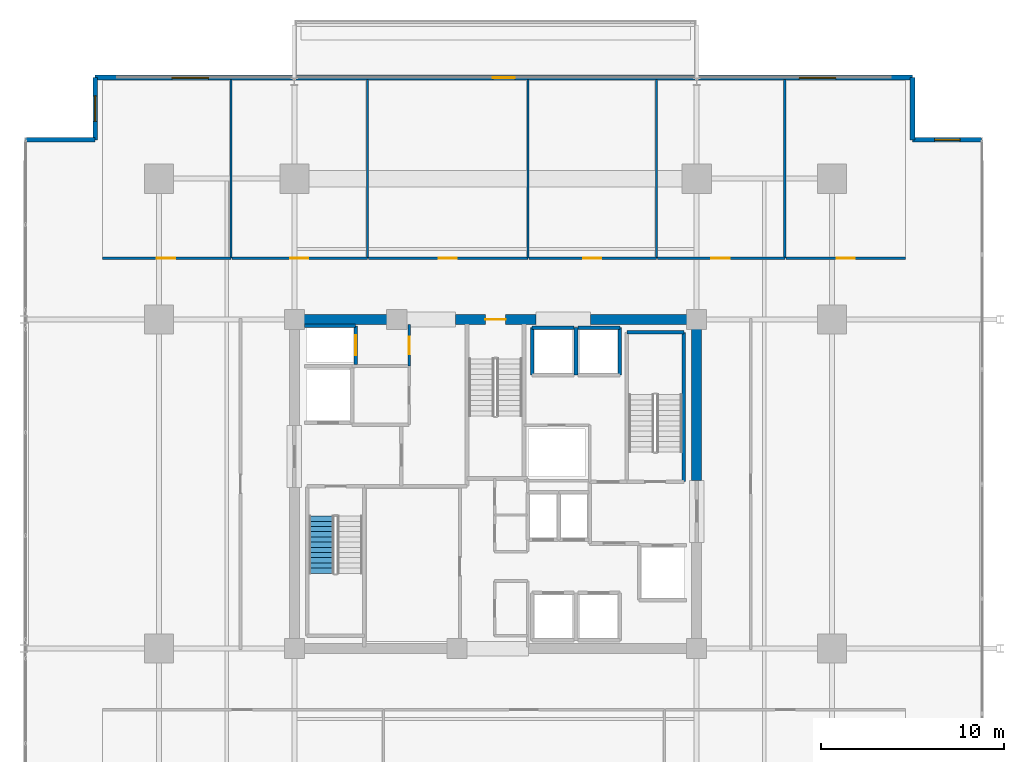
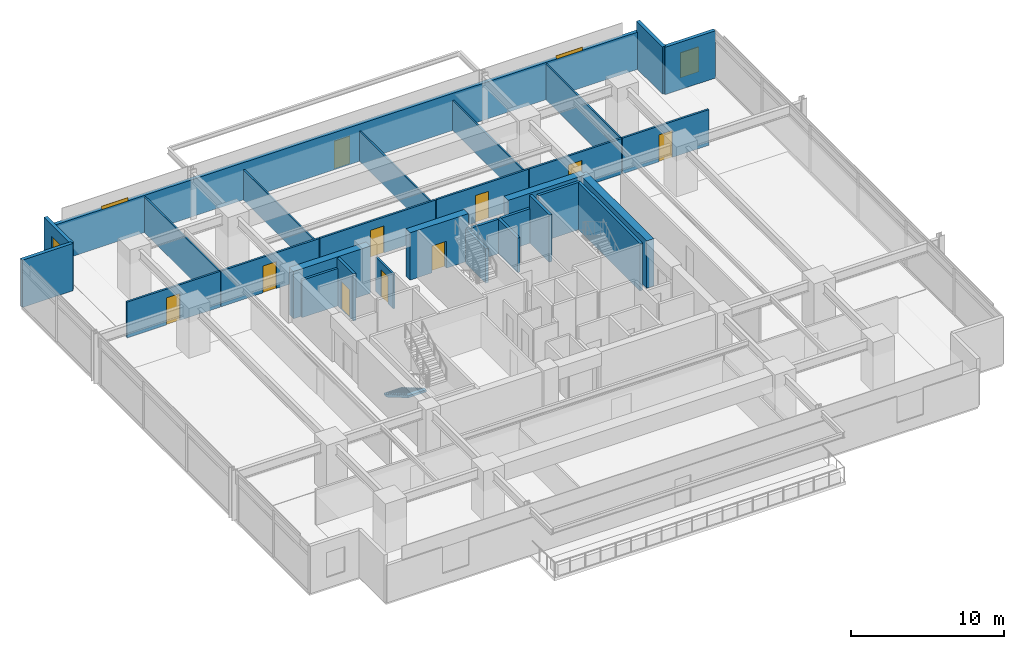
# One storey, part 16 of 21: 30 walls, 10 doors, 4 windows, 1 stair flight, 14 openings, 1 element without a shape of its own.
"""IFC4 building model written with IfcOpenShell, lengths in metres."""

from ifc_helpers import new_model, si_unit, direction, frame, frame_2d, origin, place, context, subcontext, project, spatial, polyline, rectangle, outline, extrude, material, layer, layer_set, type_object, element, fill, aggregate, save


model = new_model("IFC4")

# Units and contexts
model_context = context("Model", 3, precision=1e-05, world=origin(), true_north=direction((0.0, 1.0)))
body_context = subcontext(model_context, "Body", "Model", "MODEL_VIEW")
ifc_project = project(units=[si_unit("LENGTHUNIT", "METRE"), si_unit("AREAUNIT", "SQUARE_METRE"), si_unit("VOLUMEUNIT", "CUBIC_METRE"), si_unit("PLANEANGLEUNIT", "RADIAN"), si_unit("MASSUNIT", "GRAM", prefix="KILO")], contexts=[model_context])

# Site, building, storey
site_placement = place(None, origin())
site = spatial("IfcSite", under=ifc_project, at=site_placement, CompositionType="ELEMENT")
building_placement = place(site_placement, origin())
building = spatial("IfcBuilding", under=site, at=building_placement, Name="Kovane Verandah Tower", CompositionType="ELEMENT")
storey_placement = place(building_placement, frame((0.0, 0.0, 152.39990234375)))
storey = spatial("IfcBuildingStorey", under=building, at=storey_placement, Name="L35", CompositionType="ELEMENT", Elevation=152.39990234375)

# Wall, opening, door
ifc_material_1 = material(Name="Fire-Rated Gypsum Stud Partition", Category="gypsum")
ifc_layer_1 = layer(ifc_material_1, 0.14990234375)
ifc_layer_set_1 = layer_set([ifc_layer_1], Name="Fire-Rated Gypsum Stud Partition")
wall_type_1 = type_object("IfcWallType", Name="WL-COR-150", PredefinedType="PARTITIONING", material=ifc_layer_set_1)
wall_1_placement = place(storey_placement, frame((35.280029296875, 33.949951171875, 0.0), z_axis=(0.0, 0.0, 1.0), x_axis=(0.0, 1.0, 0.0)))
wall_1 = element("IfcWall", 1, at=wall_1_placement, inside=storey, type_object=wall_type_1, Name="L35 Goods Lift Lobby East Fire Partition", PredefinedType="PARTITIONING", context=body_context, shape_type="SweptSolid", body=[
    extrude(rectangle(XDim=2.27001953125, YDim=0.14990234375, at=frame_2d((1.135009765625, 0.0))), origin(), (0.0, 0.0, 1.0), 2.755126953125),
])
opening_1_placement = place(wall_1_placement, frame((0.659912109375, 0.0, 0.0)))
opening_1 = element("IfcOpeningElement", 2, at=opening_1_placement, cuts=wall_1, Name="Opening DR-L35-008", PredefinedType="OPENING", context=body_context, shape_type="SweptSolid", body=[
    extrude(rectangle(XDim=0.949951171875, YDim=2.14990234375, at=frame_2d((0.47509765625, 1.074951171875))), frame((0.0, 0.074951171875, 0.0), z_axis=(0.0, -1.0, 0.0), x_axis=(1.0, 0.0, 0.0)), (0.0, 0.0, 1.0), 0.14990234375),
])
ifc_material_2 = material(Name="Fire-Rated Steel Refuge and Lobby Door", Category="steel")
door_type_1 = type_object("IfcDoorType", Name="DR-FIRE-950", OperationType="SINGLE_SWING_LEFT", PredefinedType="DOOR", material=ifc_material_2)
door_1_placement = place(opening_1_placement, origin())
door_1 = element("IfcDoor", 3, at=door_1_placement, inside=storey, type_object=door_type_1, Name="L35 Goods Lift Lobby Fire Door", OperationType="SINGLE_SWING_RIGHT", OverallHeight=2.14990234375, OverallWidth=0.949951171875, PredefinedType="DOOR", context=body_context, shape_type="SweptSolid", body=[
    extrude(rectangle(XDim=0.949951171875, YDim=2.14990234375, at=frame_2d((0.47509765625, 1.074951171875))), frame((0.0, 0.02490234375, 0.0), z_axis=(0.0, -1.0, 0.0), x_axis=(1.0, 0.0, 0.0)), (0.0, 0.0, 1.0), 0.050048828125),
])
fill(opening_1, door_1)

wall_2_placement = place(storey_placement, frame((18.50390625, 39.85009765625, 0.0), z_axis=(0.0, 0.0, 1.0), x_axis=(1.0, 0.0, 0.0)))
wall_2 = element("IfcWall", 4, at=wall_2_placement, inside=storey, type_object=wall_type_1, Name="L35 Meeting Room N1 Corridor Partition", PredefinedType="PARTITIONING", context=body_context, shape_type="SweptSolid", body=[
    extrude(rectangle(XDim=7.0244140625, YDim=0.14990234375, at=frame_2d((3.51220703125, 0.0))), origin(), (0.0, 0.0, 1.0), 2.85009765625),
])
opening_2_placement = place(wall_2_placement, frame((2.97705078125, 0.0, 0.0)))
opening_2 = element("IfcOpeningElement", 5, at=opening_2_placement, cuts=wall_2, Name="Opening DR-L35-015", PredefinedType="OPENING", context=body_context, shape_type="SweptSolid", body=[
    extrude(rectangle(XDim=1.0, YDim=2.14990234375, at=frame_2d((0.5, 1.074951171875))), frame((0.0, 0.074951171875, 0.0), z_axis=(0.0, -1.0, 0.0), x_axis=(1.0, 0.0, 0.0)), (0.0, 0.0, 1.0), 0.14990234375),
])
ifc_material_3 = material(Name="FSC Spotted-Gum Timber Fire-Rated Office Door", Category="wood")
door_type_2 = type_object("IfcDoorType", Name="DR-OFF-1000", OperationType="SINGLE_SWING_LEFT", PredefinedType="DOOR", material=ifc_material_3)
door_2_placement = place(opening_2_placement, origin())
door_2 = element("IfcDoor", 6, at=door_2_placement, inside=storey, type_object=door_type_2, Name="L35 Meeting Room N1 Entrance Door", OperationType="SINGLE_SWING_RIGHT", OverallHeight=2.14990234375, OverallWidth=1.0, PredefinedType="DOOR", context=body_context, shape_type="SweptSolid", body=[
    extrude(rectangle(XDim=1.0, YDim=2.14990234375, at=frame_2d((0.5, 1.074951171875))), frame((0.0, 0.02490234375, 0.0), z_axis=(0.0, -1.0, 0.0), x_axis=(1.0, 0.0, 0.0)), (0.0, 0.0, 1.0), 0.050048828125),
])
fill(opening_2, door_2)

wall_3_placement = place(storey_placement, frame((25.598388671875, 39.85009765625, 0.0), z_axis=(0.0, 0.0, 1.0), x_axis=(1.0, 0.0, 0.0)))
wall_3 = element("IfcWall", 7, at=wall_3_placement, inside=storey, type_object=wall_type_1, Name="L35 Focus Studio N2 Corridor Partition", PredefinedType="PARTITIONING", context=body_context, shape_type="SweptSolid", body=[
    extrude(rectangle(XDim=7.393310546875, YDim=0.14990234375, at=frame_2d((3.69677734375, 0.0))), origin(), (0.0, 0.0, 1.0), 2.85009765625),
])
opening_3_placement = place(wall_3_placement, frame((3.16162109375, 0.0, 0.0)))
opening_3 = element("IfcOpeningElement", 8, at=opening_3_placement, cuts=wall_3, Name="Opening DR-L35-016", PredefinedType="OPENING", context=body_context, shape_type="SweptSolid", body=[
    extrude(rectangle(XDim=1.0, YDim=2.14990234375, at=frame_2d((0.5, 1.074951171875))), frame((0.0, 0.074951171875, 0.0), z_axis=(0.0, -1.0, 0.0), x_axis=(1.0, 0.0, 0.0)), (0.0, 0.0, 1.0), 0.14990234375),
])
door_3_placement = place(opening_3_placement, origin())
door_3 = element("IfcDoor", 9, at=door_3_placement, inside=storey, type_object=door_type_2, Name="L35 Focus Studio N2 Entrance Door", OperationType="SINGLE_SWING_LEFT", OverallHeight=2.14990234375, OverallWidth=1.0, PredefinedType="DOOR", context=body_context, shape_type="SweptSolid", body=[
    extrude(rectangle(XDim=1.0, YDim=2.14990234375, at=frame_2d((0.5, 1.074951171875))), frame((0.0, 0.02490234375, 0.0), z_axis=(0.0, -1.0, 0.0), x_axis=(1.0, 0.0, 0.0)), (0.0, 0.0, 1.0), 0.050048828125),
])
fill(opening_3, door_3)

wall_4_placement = place(storey_placement, frame((33.061767578125, 39.85009765625, 0.0), z_axis=(0.0, 0.0, 1.0), x_axis=(1.0, 0.0, 0.0)))
wall_4 = element("IfcWall", 10, at=wall_4_placement, inside=storey, type_object=wall_type_1, Name="L35 Breakout Pantry N3 Corridor Partition", PredefinedType="PARTITIONING", context=body_context, shape_type="SweptSolid", body=[
    extrude(rectangle(XDim=8.71044921875, YDim=0.14990234375, at=frame_2d((4.355224609375, 0.0))), origin(), (0.0, 0.0, 1.0), 2.85009765625),
])
opening_4_placement = place(wall_4_placement, frame((3.8203125, 0.0, 0.0)))
opening_4 = element("IfcOpeningElement", 11, at=opening_4_placement, cuts=wall_4, Name="Opening DR-L35-017", PredefinedType="OPENING", context=body_context, shape_type="SweptSolid", body=[
    extrude(rectangle(XDim=1.0, YDim=2.14990234375, at=frame_2d((0.5, 1.074951171875))), frame((0.0, 0.074951171875, 0.0), z_axis=(0.0, -1.0, 0.0), x_axis=(1.0, 0.0, 0.0)), (0.0, 0.0, 1.0), 0.14990234375),
])
door_4_placement = place(opening_4_placement, origin())
door_4 = element("IfcDoor", 12, at=door_4_placement, inside=storey, type_object=door_type_2, Name="L35 Breakout Pantry N3 Entrance Door", OperationType="SINGLE_SWING_RIGHT", OverallHeight=2.14990234375, OverallWidth=1.0, PredefinedType="DOOR", context=body_context, shape_type="SweptSolid", body=[
    extrude(rectangle(XDim=1.0, YDim=2.14990234375, at=frame_2d((0.5, 1.074951171875))), frame((0.0, 0.02490234375, 0.0), z_axis=(0.0, -1.0, 0.0), x_axis=(1.0, 0.0, 0.0)), (0.0, 0.0, 1.0), 0.050048828125),
])
fill(opening_4, door_4)

wall_5_placement = place(storey_placement, frame((41.842041015625, 39.85009765625, 0.0), z_axis=(0.0, 0.0, 1.0), x_axis=(1.0, 0.0, 0.0)))
wall_5 = element("IfcWall", 13, at=wall_5_placement, inside=storey, type_object=wall_type_1, Name="L35 Collaboration Hub N4 Corridor Partition", PredefinedType="PARTITIONING", context=body_context, shape_type="SweptSolid", body=[
    extrude(rectangle(XDim=6.954345703125, YDim=0.14990234375, at=frame_2d((3.47705078125, 0.0))), origin(), (0.0, 0.0, 1.0), 2.85009765625),
])
opening_5_placement = place(wall_5_placement, frame((2.942138671875, 0.0, 0.0)))
opening_5 = element("IfcOpeningElement", 14, at=opening_5_placement, cuts=wall_5, Name="Opening DR-L35-018", PredefinedType="OPENING", context=body_context, shape_type="SweptSolid", body=[
    extrude(rectangle(XDim=1.0, YDim=2.14990234375, at=frame_2d((0.5, 1.074951171875))), frame((0.0, 0.074951171875, 0.0), z_axis=(0.0, -1.0, 0.0), x_axis=(1.0, 0.0, 0.0)), (0.0, 0.0, 1.0), 0.14990234375),
])
door_5_placement = place(opening_5_placement, origin())
door_5 = element("IfcDoor", 15, at=door_5_placement, inside=storey, type_object=door_type_2, Name="L35 Collaboration Hub N4 Entrance Door", OperationType="SINGLE_SWING_LEFT", OverallHeight=2.14990234375, OverallWidth=1.0, PredefinedType="DOOR", context=body_context, shape_type="SweptSolid", body=[
    extrude(rectangle(XDim=1.0, YDim=2.14990234375, at=frame_2d((0.5, 1.074951171875))), frame((0.0, 0.02490234375, 0.0), z_axis=(0.0, -1.0, 0.0), x_axis=(1.0, 0.0, 0.0)), (0.0, 0.0, 1.0), 0.050048828125),
])
fill(opening_5, door_5)

wall_6_placement = place(storey_placement, frame((48.866455078125, 39.85009765625, 0.0), z_axis=(0.0, 0.0, 1.0), x_axis=(1.0, 0.0, 0.0)))
wall_6 = element("IfcWall", 16, at=wall_6_placement, inside=storey, type_object=wall_type_1, Name="L35 Document and Print Room N5 Corridor Partition", PredefinedType="PARTITIONING", context=body_context, shape_type="SweptSolid", body=[
    extrude(rectangle(XDim=6.954345703125, YDim=0.14990234375, at=frame_2d((3.47705078125, 0.0))), origin(), (0.0, 0.0, 1.0), 2.85009765625),
])
opening_6_placement = place(wall_6_placement, frame((2.942138671875, 0.0, 0.0)))
opening_6 = element("IfcOpeningElement", 17, at=opening_6_placement, cuts=wall_6, Name="Opening DR-L35-019", PredefinedType="OPENING", context=body_context, shape_type="SweptSolid", body=[
    extrude(rectangle(XDim=1.0, YDim=2.14990234375, at=frame_2d((0.5, 1.074951171875))), frame((0.0, 0.074951171875, 0.0), z_axis=(0.0, -1.0, 0.0), x_axis=(1.0, 0.0, 0.0)), (0.0, 0.0, 1.0), 0.14990234375),
])
door_6_placement = place(opening_6_placement, origin())
door_6 = element("IfcDoor", 18, at=door_6_placement, inside=storey, type_object=door_type_2, Name="L35 Document and Print Room N5 Entrance Door", OperationType="SINGLE_SWING_RIGHT", OverallHeight=2.14990234375, OverallWidth=1.0, PredefinedType="DOOR", context=body_context, shape_type="SweptSolid", body=[
    extrude(rectangle(XDim=1.0, YDim=2.14990234375, at=frame_2d((0.5, 1.074951171875))), frame((0.0, 0.02490234375, 0.0), z_axis=(0.0, -1.0, 0.0), x_axis=(1.0, 0.0, 0.0)), (0.0, 0.0, 1.0), 0.050048828125),
])
fill(opening_6, door_6)

wall_7_placement = place(storey_placement, frame((55.890625, 39.85009765625, 0.0), z_axis=(0.0, 0.0, 1.0), x_axis=(1.0, 0.0, 0.0)))
wall_7 = element("IfcWall", 19, at=wall_7_placement, inside=storey, type_object=wall_type_1, Name="L35 Open Plan Office N6 Corridor Partition", PredefinedType="PARTITIONING", context=body_context, shape_type="SweptSolid", body=[
    extrude(rectangle(XDim=6.515380859375, YDim=0.14990234375, at=frame_2d((3.2578125, 0.0))), origin(), (0.0, 0.0, 1.0), 2.85009765625),
])
opening_7_placement = place(wall_7_placement, frame((2.757568359375, 0.0, 0.0)))
opening_7 = element("IfcOpeningElement", 20, at=opening_7_placement, cuts=wall_7, Name="Opening DR-L35-020", PredefinedType="OPENING", context=body_context, shape_type="SweptSolid", body=[
    extrude(rectangle(XDim=1.0, YDim=2.14990234375, at=frame_2d((0.5, 1.074951171875))), frame((0.0, 0.074951171875, 0.0), z_axis=(0.0, -1.0, 0.0), x_axis=(1.0, 0.0, 0.0)), (0.0, 0.0, 1.0), 0.14990234375),
])
door_7_placement = place(opening_7_placement, origin())
door_7 = element("IfcDoor", 21, at=door_7_placement, inside=storey, type_object=door_type_2, Name="L35 Open Plan Office N6 Entrance Door", OperationType="SINGLE_SWING_LEFT", OverallHeight=2.14990234375, OverallWidth=1.0, PredefinedType="DOOR", context=body_context, shape_type="SweptSolid", body=[
    extrude(rectangle(XDim=1.0, YDim=2.14990234375, at=frame_2d((0.5, 1.074951171875))), frame((0.0, 0.02490234375, 0.0), z_axis=(0.0, -1.0, 0.0), x_axis=(1.0, 0.0, 0.0)), (0.0, 0.0, 1.0), 0.050048828125),
])
fill(opening_7, door_7)

# Wall
ifc_material_4 = material(Name="Concrete C60/75", Category="concrete")
ifc_layer_2 = layer(ifc_material_4, 0.550048828125)
ifc_layer_set_2 = layer_set([ifc_layer_2], Name="Concrete C60/75")
wall_type_2 = type_object("IfcWallType", Name="WL-CORE-550", PredefinedType="SHEAR", material=ifc_layer_set_2)
wall_8_placement = place(storey_placement, frame((29.0, 36.5, 0.0), z_axis=(0.0, 0.0, 1.0), x_axis=(1.0, 0.0, 0.0)))
element("IfcWall", 22, at=wall_8_placement, inside=storey, type_object=wall_type_2, Name="L35 Core Shear Wall CN-1", PredefinedType="SHEAR", context=body_context, shape_type="SweptSolid", body=[
    extrude(rectangle(XDim=5.800048828125, YDim=0.550048828125, at=frame_2d((2.89990234375, 0.0))), origin(), (0.0, 0.0, 1.0), 3.775146484375),
])

# Wall, opening, door
wall_9_placement = place(storey_placement, frame((37.800048828125, 36.5, 0.0), z_axis=(0.0, 0.0, 1.0), x_axis=(1.0, 0.0, 0.0)))
wall_9 = element("IfcWall", 23, at=wall_9_placement, inside=storey, type_object=wall_type_2, Name="L35 Core Shear Wall CN-2", PredefinedType="SHEAR", context=body_context, shape_type="SweptSolid", body=[
    extrude(rectangle(XDim=4.39990234375, YDim=0.550048828125, at=frame_2d((2.199951171875, 0.0))), origin(), (0.0, 0.0, 1.0), 3.775146484375),
])
opening_8_placement = place(wall_9_placement, frame((1.64990234375, 0.0, 0.0)))
opening_8 = element("IfcOpeningElement", 24, at=opening_8_placement, cuts=wall_9, Name="Opening DR-L35-011", PredefinedType="OPENING", context=body_context, shape_type="SweptSolid", body=[
    extrude(rectangle(XDim=1.10009765625, YDim=2.14990234375, at=frame_2d((0.550048828125, 1.074951171875))), frame((0.0, 0.27490234375, 0.0), z_axis=(0.0, -1.0, 0.0), x_axis=(1.0, 0.0, 0.0)), (0.0, 0.0, 1.0), 0.550048828125),
])
ifc_material_5 = material(Name="Fire-Rated Steel Exit Door", Category="steel")
door_type_3 = type_object("IfcDoorType", Name="DR-STAIR-1100", OperationType="SINGLE_SWING_LEFT", PredefinedType="DOOR", material=ifc_material_5)
door_8_placement = place(opening_8_placement, origin())
door_8 = element("IfcDoor", 25, at=door_8_placement, inside=storey, type_object=door_type_3, Name="L35 ST-03 Fire Exit Stair Door", OperationType="SINGLE_SWING_RIGHT", OverallHeight=2.14990234375, OverallWidth=1.10009765625, PredefinedType="DOOR", context=body_context, shape_type="SweptSolid", body=[
    extrude(rectangle(XDim=1.10009765625, YDim=2.14990234375, at=frame_2d((0.550048828125, 1.074951171875))), frame((0.0, 0.02490234375, 0.0), z_axis=(0.0, -1.0, 0.0), x_axis=(1.0, 0.0, 0.0)), (0.0, 0.0, 1.0), 0.050048828125),
])
fill(opening_8, door_8)

# Walls
wall_10_placement = place(storey_placement, frame((45.199951171875, 36.5, 0.0), z_axis=(0.0, 0.0, 1.0), x_axis=(1.0, 0.0, 0.0)))
element("IfcWall", 26, at=wall_10_placement, inside=storey, type_object=wall_type_2, Name="L35 Core Shear Wall CN-3", PredefinedType="SHEAR", context=body_context, shape_type="SweptSolid", body=[
    extrude(rectangle(XDim=5.800048828125, YDim=0.550048828125, at=frame_2d((2.89990234375, 0.0))), origin(), (0.0, 0.0, 1.0), 3.775146484375),
])
wall_11_placement = place(storey_placement, frame((51.0, 27.699951171875, 0.0), z_axis=(0.0, 0.0, 1.0), x_axis=(0.0, 1.0, 0.0)))
element("IfcWall", 27, at=wall_11_placement, inside=storey, type_object=wall_type_2, Name="L35 Core Shear Wall CE-2", PredefinedType="SHEAR", context=body_context, shape_type="SweptSolid", body=[
    extrude(rectangle(XDim=8.800048828125, YDim=0.550048828125, at=frame_2d((4.39990234375, 0.0))), origin(), (0.0, 0.0, 1.0), 3.775146484375),
])
ifc_material_6 = material(Name="Concrete C45/55 Lift Shaft Wall", Category="concrete")
ifc_layer_3 = layer(ifc_material_6, 0.199951171875)
ifc_layer_set_3 = layer_set([ifc_layer_3], Name="Concrete C45/55 Lift Shaft Wall")
wall_type_3 = type_object("IfcWallType", Name="WL-LIFT-200", PredefinedType="SOLIDWALL", material=ifc_layer_set_3)
wall_12_placement = place(storey_placement, frame((32.35009765625, 36.14990234375, 0.0), z_axis=(0.0, 0.0, 1.0), x_axis=(-1.0, 0.0, 0.0)))
element("IfcWall", 28, at=wall_12_placement, inside=storey, type_object=wall_type_3, Name="L35 Lift GL-01 N Shaft Wall", PredefinedType="SOLIDWALL", context=body_context, shape_type="SweptSolid", body=[
    extrude(rectangle(XDim=2.800048828125, YDim=0.199951171875, at=frame_2d((1.39990234375, 0.0))), origin(), (0.0, 0.0, 1.0), 2.9853515625),
])

# Wall, opening, door
wall_13_placement = place(storey_placement, frame((32.35009765625, 34.050048828125, 0.0), z_axis=(0.0, 0.0, 1.0), x_axis=(0.0, 1.0, 0.0)))
wall_13 = element("IfcWall", 29, at=wall_13_placement, inside=storey, type_object=wall_type_3, Name="L35 Lift GL-01 E Shaft Wall", PredefinedType="SOLIDWALL", context=body_context, shape_type="SweptSolid", body=[
    extrude(rectangle(XDim=2.099853515625, YDim=0.199951171875, at=frame_2d((1.0498046875, 0.0))), origin(), (0.0, 0.0, 1.0), 3.775146484375),
])
opening_9_placement = place(wall_13_placement, frame((0.5, 0.0, 0.0)))
opening_9 = element("IfcOpeningElement", 30, at=opening_9_placement, cuts=wall_13, Name="Opening LD-L35-003", PredefinedType="OPENING", context=body_context, shape_type="SweptSolid", body=[
    extrude(rectangle(XDim=1.10009765625, YDim=2.199951171875, at=frame_2d((0.550048828125, 1.10009765625))), frame((0.0, 0.10009765625, 0.0), z_axis=(0.0, -1.0, 0.0), x_axis=(1.0, 0.0, 0.0)), (0.0, 0.0, 1.0), 0.199951171875),
])
ifc_material_7 = material(Name="Brushed Stainless Steel Sliding Lift Landing Door", Category="steel")
door_type_4 = type_object("IfcDoorType", Name="DR-LIFT-1100", OperationType="SLIDING_TO_RIGHT", PredefinedType="DOOR", material=ifc_material_7)
door_9_placement = place(opening_9_placement, origin())
door_9 = element("IfcDoor", 31, at=door_9_placement, inside=storey, type_object=door_type_4, Name="L35 Lift GL-01 Sliding Landing Door", OperationType="SLIDING_TO_RIGHT", OverallHeight=2.199951171875, OverallWidth=1.10009765625, PredefinedType="DOOR", context=body_context, shape_type="SweptSolid", body=[
    extrude(rectangle(XDim=1.10009765625, YDim=2.199951171875, at=frame_2d((0.550048828125, 1.10009765625))), frame((0.0, 0.02490234375, 0.0), z_axis=(0.0, -1.0, 0.0), x_axis=(1.0, 0.0, 0.0)), (0.0, 0.0, 1.0), 0.050048828125),
])
fill(opening_9, door_9)

# Walls
wall_14_placement = place(storey_placement, frame((44.300048828125, 36.050048828125, 0.0), z_axis=(0.0, 0.0, 1.0), x_axis=(-1.0, 0.0, 0.0)))
element("IfcWall", 32, at=wall_14_placement, inside=storey, type_object=wall_type_3, Name="L35 Lift SL-01 N Shaft Wall", PredefinedType="SOLIDWALL", context=body_context, shape_type="SweptSolid", body=[
    extrude(rectangle(XDim=2.300048828125, YDim=0.199951171875, at=frame_2d((1.14990234375, 0.0))), origin(), (0.0, 0.0, 1.0), 2.755126953125),
])
for number, where, z_axis, x_axis, name in (
    (33, (42.0, 36.050048828125, 0.0), (0.0, 0.0, 1.0), (0.0, -1.0, 0.0), "L35 Lift SL-01 W Shaft Wall"),
    (34, (44.39990234375, 33.449951171875, 0.0), (0.0, 0.0, 1.0), (0.0, 1.0, 0.0), "L35 Lift OL-01 and SL-01 Shared Shaft Wall"),
):
    element("IfcWall", number, at=place(storey_placement, frame(where, z_axis=z_axis, x_axis=x_axis)), inside=storey, type_object=wall_type_3, Name=name, PredefinedType="SOLIDWALL", context=body_context, shape_type="SweptSolid", body=[
        extrude(rectangle(XDim=2.60009765625, YDim=0.199951171875, at=frame_2d((1.300048828125, 0.0))), origin(), (0.0, 0.0, 1.0), 2.755126953125),
    ])
wall_15_placement = place(storey_placement, frame((46.800048828125, 36.050048828125, 0.0), z_axis=(0.0, 0.0, 1.0), x_axis=(-1.0, 0.0, 0.0)))
element("IfcWall", 35, at=wall_15_placement, inside=storey, type_object=wall_type_3, Name="L35 Lift OL-01 N Shaft Wall", PredefinedType="SOLIDWALL", context=body_context, shape_type="SweptSolid", body=[
    extrude(rectangle(XDim=2.300048828125, YDim=0.199951171875, at=frame_2d((1.14990234375, 0.0))), origin(), (0.0, 0.0, 1.0), 2.755126953125),
])
wall_16_placement = place(storey_placement, frame((46.800048828125, 33.449951171875, 0.0), z_axis=(0.0, 0.0, 1.0), x_axis=(0.0, 1.0, 0.0)))
element("IfcWall", 36, at=wall_16_placement, inside=storey, type_object=wall_type_3, Name="L35 Lift OL-01 E Shaft Wall", PredefinedType="SOLIDWALL", context=body_context, shape_type="SweptSolid", body=[
    extrude(rectangle(XDim=2.60009765625, YDim=0.199951171875, at=frame_2d((1.300048828125, 0.0))), origin(), (0.0, 0.0, 1.0), 3.775146484375),
])
ifc_material_8 = material(Name="Acoustic Fire-Rated Gypsum Partition", Category="gypsum")
ifc_layer_4 = layer(ifc_material_8, 0.1201171875)
ifc_layer_set_4 = layer_set([ifc_layer_4], Name="Acoustic Fire-Rated Gypsum Partition")
wall_type_4 = type_object("IfcWallType", Name="WL-PART-120", PredefinedType="PARTITIONING", material=ifc_layer_set_4)
wall_17_placement = place(storey_placement, frame((25.5283203125, 39.85009765625, 0.0), z_axis=(0.0, 0.0, 1.0), x_axis=(0.0, 1.0, 0.0)))
element("IfcWall", 37, at=wall_17_placement, inside=storey, type_object=wall_type_4, Name="L35 Meeting Room N1 Dividing Partition", PredefinedType="PARTITIONING", context=body_context, shape_type="SweptSolid", body=[
    extrude(rectangle(XDim=9.777099609375, YDim=0.1201171875, at=frame_2d((4.888671875, 0.0))), origin(), (0.0, 0.0, 1.0), 2.85009765625),
])
for number, where, z_axis, x_axis, name in (
    (38, (32.99169921875, 39.85009765625, 0.0), (0.0, 0.0, 1.0), (0.0, 1.0, 0.0), "L35 Focus Studio N2 Dividing Partition"),
    (39, (41.772216796875, 39.85009765625, 0.0), (0.0, 0.0, 1.0), (0.0, 1.0, 0.0), "L35 Breakout Pantry N3 Dividing Partition"),
    (40, (48.79638671875, 39.85009765625, 0.0), (0.0, 0.0, 1.0), (0.0, 1.0, 0.0), "L35 Collaboration Hub N4 Dividing Partition"),
):
    element("IfcWall", number, at=place(storey_placement, frame(where, z_axis=z_axis, x_axis=x_axis)), inside=storey, type_object=wall_type_4, Name=name, PredefinedType="PARTITIONING", context=body_context, shape_type="SweptSolid", body=[
        extrude(rectangle(XDim=9.777099609375, YDim=0.1201171875, at=frame_2d((4.888671875, 0.0))), origin(), (0.0, 0.0, 1.0), 2.405029296875),
    ])
wall_18_placement = place(storey_placement, frame((55.82080078125, 39.85009765625, 0.0), z_axis=(0.0, 0.0, 1.0), x_axis=(0.0, 1.0, 0.0)))
element("IfcWall", 41, at=wall_18_placement, inside=storey, type_object=wall_type_4, Name="L35 Document and Print Room N5 Dividing Partition", PredefinedType="PARTITIONING", context=body_context, shape_type="SweptSolid", body=[
    extrude(rectangle(XDim=9.777099609375, YDim=0.1201171875, at=frame_2d((4.888671875, 0.0))), origin(), (0.0, 0.0, 1.0), 2.85009765625),
])
ifc_material_9 = material(Name="Concrete C45/55", Category="concrete")
ifc_layer_5 = layer(ifc_material_9, 0.199951171875)
ifc_layer_set_5 = layer_set([ifc_layer_5], Name="Concrete C45/55")
wall_type_5 = type_object("IfcWallType", Name="WL-SHAFT-200", PredefinedType="SOLIDWALL", material=ifc_layer_set_5)
wall_19_placement = place(storey_placement, frame((50.300048828125, 27.64990234375, 0.0), z_axis=(0.0, 0.0, 1.0), x_axis=(0.0, 1.0, 0.0)))
element("IfcWall", 42, at=wall_19_placement, inside=storey, type_object=wall_type_5, Name="W-L35-ST02-E", PredefinedType="SOLIDWALL", context=body_context, shape_type="SweptSolid", body=[
    extrude(rectangle(XDim=8.150146484375, YDim=0.199951171875, at=frame_2d((4.0751953125, 0.0))), origin(), (0.0, 0.0, 1.0), 3.775146484375),
])
wall_20_placement = place(storey_placement, frame((47.179931640625, 35.800048828125, 0.0), z_axis=(0.0, 0.0, 1.0), x_axis=(1.0, 0.0, 0.0)))
element("IfcWall", 43, at=wall_20_placement, inside=storey, type_object=wall_type_5, Name="W-L35-ST02-N", PredefinedType="SOLIDWALL", context=body_context, shape_type="SweptSolid", body=[
    extrude(rectangle(XDim=3.1201171875, YDim=0.199951171875, at=frame_2d((1.56005859375, 0.0))), origin(), (0.0, 0.0, 1.0), 3.775146484375),
])

# Wall, openings, door, windows
ifc_material_10 = material(Name="Concrete C45/55 Insulated Spandrel Wall", Category="concrete")
ifc_layer_6 = layer(ifc_material_10, 0.260009765625)
ifc_layer_set_6 = layer_set([ifc_layer_6], Name="Concrete C45/55 Insulated Spandrel Wall")
wall_type_6 = type_object("IfcWallType", Name="WL-SPANDREL-260", PredefinedType="PARAPET", material=ifc_layer_set_6)
wall_21_placement = place(storey_placement, frame((62.805908203125, 49.727294921875, 0.0), z_axis=(0.0, 0.0, 1.0), x_axis=(-1.0, 0.0, 0.0)))
wall_21 = element("IfcWall", 44, at=wall_21_placement, inside=storey, type_object=wall_type_6, Name="L35 N Verandah Access Facade Wall", PredefinedType="PARAPET", context=body_context, shape_type="SweptSolid", body=[
    extrude(rectangle(XDim=44.701904296875, YDim=0.260009765625, at=frame_2d((22.35107421875, 0.0))), origin(), (0.0, 0.0, 1.0), 2.97021484375),
])
opening_10_placement = place(wall_21_placement, frame((4.199951171875, 0.0, 0.85009765625)))
opening_10 = element("IfcOpeningElement", 45, at=opening_10_placement, cuts=wall_21, Name="Opening W-04", PredefinedType="OPENING", context=body_context, shape_type="SweptSolid", body=[
    extrude(rectangle(XDim=2.0, YDim=2.300048828125, at=frame_2d((1.0, 1.14990234375))), frame((0.0, 0.1298828125, 0.0), z_axis=(0.0, -1.0, 0.0), x_axis=(1.0, 0.0, 0.0)), (0.0, 0.0, 1.0), 0.260009765625),
])
opening_11_placement = place(wall_21_placement, frame((21.7509765625, 0.0, 0.0)))
opening_11 = element("IfcOpeningElement", 46, at=opening_11_placement, cuts=wall_21, Name="Opening DR-L35-001", PredefinedType="OPENING", context=body_context, shape_type="SweptSolid", body=[
    extrude(rectangle(XDim=1.199951171875, YDim=2.199951171875, at=frame_2d((0.60009765625, 1.10009765625))), frame((0.0, 0.1298828125, 0.0), z_axis=(0.0, -1.0, 0.0), x_axis=(1.0, 0.0, 0.0)), (0.0, 0.0, 1.0), 0.260009765625),
])
opening_12_placement = place(wall_21_placement, frame((38.501953125, 0.0, 0.85009765625)))
opening_12 = element("IfcOpeningElement", 47, at=opening_12_placement, cuts=wall_21, Name="Opening W-04", PredefinedType="OPENING", context=body_context, shape_type="SweptSolid", body=[
    extrude(rectangle(XDim=2.0, YDim=2.300048828125, at=frame_2d((1.0, 1.14990234375))), frame((0.0, 0.1298828125, 0.0), z_axis=(0.0, -1.0, 0.0), x_axis=(1.0, 0.0, 0.0)), (0.0, 0.0, 1.0), 0.260009765625),
])
ifc_material_11 = material(Name="Cyclone-Rated Glazed Balcony Leaf Door", Category="aluminium")
door_type_5 = type_object("IfcDoorType", Name="DR-BAL-1200x2200", OperationType="SINGLE_SWING_LEFT", PredefinedType="DOOR", material=ifc_material_11)
door_10_placement = place(opening_11_placement, origin())
door_10 = element("IfcDoor", 48, at=door_10_placement, inside=storey, type_object=door_type_5, Name="L35 N Planted Balcony Access Door", OperationType="SINGLE_SWING_LEFT", OverallHeight=2.199951171875, OverallWidth=1.199951171875, PredefinedType="DOOR", context=body_context, shape_type="SweptSolid", body=[
    extrude(rectangle(XDim=1.199951171875, YDim=2.199951171875, at=frame_2d((0.60009765625, 1.10009765625))), frame((0.0, 0.02490234375, 0.0), z_axis=(0.0, -1.0, 0.0), x_axis=(1.0, 0.0, 0.0)), (0.0, 0.0, 1.0), 0.050048828125),
])
fill(opening_11, door_10)
ifc_material_12 = material(Name="Clear Low-E Laminated Double Glazing in Anodised Frame", Category="glass")
window_type_1 = type_object("IfcWindowType", Name="WN-FIXED-2000x2300", PartitioningType="SINGLE_PANEL", PredefinedType="WINDOW", material=ifc_material_12)
window_1_placement = place(opening_10_placement, origin())
window_1 = element("IfcWindow", 49, at=window_1_placement, inside=storey, type_object=window_type_1, Name="L35 N Verandah View Window 1", OverallHeight=2.300048828125, OverallWidth=2.0, PartitioningType="SINGLE_PANEL", PredefinedType="WINDOW", context=body_context, shape_type="SweptSolid", body=[
    extrude(rectangle(XDim=2.0, YDim=2.300048828125, at=frame_2d((1.0, 1.14990234375))), frame((0.0, 0.030029296875, 0.0), z_axis=(0.0, -1.0, 0.0), x_axis=(1.0, 0.0, 0.0)), (0.0, 0.0, 1.0), 0.06005859375),
])
fill(opening_10, window_1)
window_2_placement = place(opening_12_placement, origin())
window_2 = element("IfcWindow", 50, at=window_2_placement, inside=storey, type_object=window_type_1, Name="L35 N Verandah View Window 2", OverallHeight=2.300048828125, OverallWidth=2.0, PartitioningType="SINGLE_PANEL", PredefinedType="WINDOW", context=body_context, shape_type="SweptSolid", body=[
    extrude(rectangle(XDim=2.0, YDim=2.300048828125, at=frame_2d((1.0, 1.14990234375))), frame((0.0, 0.030029296875, 0.0), z_axis=(0.0, -1.0, 0.0), x_axis=(1.0, 0.0, 0.0)), (0.0, 0.0, 1.0), 0.06005859375),
])
fill(opening_12, window_2)

# Wall, opening, window
wall_22_placement = place(storey_placement, frame((66.60595703125, 46.3271484375, 0.0), z_axis=(0.0, 0.0, 1.0), x_axis=(-1.0, 0.0, 0.0)))
wall_22 = element("IfcWall", 51, at=wall_22_placement, inside=storey, type_object=wall_type_6, Name="L35 NE Notch Cheek Wall 1", PredefinedType="PARAPET", context=body_context, shape_type="SweptSolid", body=[
    extrude(rectangle(XDim=3.800048828125, YDim=0.260009765625, at=frame_2d((1.89990234375, 0.0))), origin(), (0.0, 0.0, 1.0), 3.775146484375),
])
opening_13_placement = place(wall_22_placement, frame((1.199951171875, 0.0, 0.85009765625)))
opening_13 = element("IfcOpeningElement", 52, at=opening_13_placement, cuts=wall_22, Name="Opening W-01", PredefinedType="OPENING", context=body_context, shape_type="SweptSolid", body=[
    extrude(rectangle(XDim=1.39990234375, YDim=2.0, at=frame_2d((0.699951171875, 1.0))), frame((0.0, 0.1298828125, 0.0), z_axis=(0.0, -1.0, 0.0), x_axis=(1.0, 0.0, 0.0)), (0.0, 0.0, 1.0), 0.260009765625),
])
window_type_2 = type_object("IfcWindowType", Name="WN-OPER-1400x2000", PartitioningType="SINGLE_PANEL", PredefinedType="WINDOW", material=ifc_material_12)
window_3_placement = place(opening_13_placement, origin())
window_3 = element("IfcWindow", 53, at=window_3_placement, inside=storey, type_object=window_type_2, Name="L35 NE Re-Entrant Corner Operable Window", OverallHeight=2.0, OverallWidth=1.39990234375, PartitioningType="SINGLE_PANEL", PredefinedType="WINDOW", context=body_context, shape_type="SweptSolid", body=[
    extrude(rectangle(XDim=1.39990234375, YDim=2.0, at=frame_2d((0.699951171875, 1.0))), frame((0.0, 0.030029296875, 0.0), z_axis=(0.0, -1.0, 0.0), x_axis=(1.0, 0.0, 0.0)), (0.0, 0.0, 1.0), 0.06005859375),
])
fill(opening_13, window_3)

# Wall
wall_23_placement = place(storey_placement, frame((62.805908203125, 46.3271484375, 0.0), z_axis=(0.0, 0.0, 1.0), x_axis=(0.0, 1.0, 0.0)))
element("IfcWall", 54, at=wall_23_placement, inside=storey, type_object=wall_type_6, Name="L35 NE Notch Cheek Wall 2", PredefinedType="PARAPET", context=body_context, shape_type="SweptSolid", body=[
    extrude(rectangle(XDim=3.400146484375, YDim=0.260009765625, at=frame_2d((1.7001953125, 0.0))), origin(), (0.0, 0.0, 1.0), 3.775146484375),
])

# Wall, opening, window
wall_24_placement = place(storey_placement, frame((18.10400390625, 49.727294921875, 0.0), z_axis=(0.0, 0.0, 1.0), x_axis=(0.0, -1.0, 0.0)))
wall_24 = element("IfcWall", 55, at=wall_24_placement, inside=storey, type_object=wall_type_6, Name="L35 NW Notch Cheek Wall 1", PredefinedType="PARAPET", context=body_context, shape_type="SweptSolid", body=[
    extrude(rectangle(XDim=3.400146484375, YDim=0.260009765625, at=frame_2d((1.7001953125, 0.0))), origin(), (0.0, 0.0, 1.0), 3.775146484375),
])
opening_14_placement = place(wall_24_placement, frame((1.0, 0.0, 0.85009765625)))
opening_14 = element("IfcOpeningElement", 56, at=opening_14_placement, cuts=wall_24, Name="Opening W-01", PredefinedType="OPENING", context=body_context, shape_type="SweptSolid", body=[
    extrude(rectangle(XDim=1.39990234375, YDim=2.0, at=frame_2d((0.699951171875, 1.0))), frame((0.0, 0.1298828125, 0.0), z_axis=(0.0, -1.0, 0.0), x_axis=(1.0, 0.0, 0.0)), (0.0, 0.0, 1.0), 0.260009765625),
])
window_4_placement = place(opening_14_placement, origin())
window_4 = element("IfcWindow", 57, at=window_4_placement, inside=storey, type_object=window_type_2, Name="L35 NW Re-Entrant Corner Operable Window", OverallHeight=2.0, OverallWidth=1.39990234375, PartitioningType="SINGLE_PANEL", PredefinedType="WINDOW", context=body_context, shape_type="SweptSolid", body=[
    extrude(rectangle(XDim=1.39990234375, YDim=2.0, at=frame_2d((0.699951171875, 1.0))), frame((0.0, 0.030029296875, 0.0), z_axis=(0.0, -1.0, 0.0), x_axis=(1.0, 0.0, 0.0)), (0.0, 0.0, 1.0), 0.06005859375),
])
fill(opening_14, window_4)

# Wall
wall_25_placement = place(storey_placement, frame((18.10400390625, 46.3271484375, 0.0), z_axis=(0.0, 0.0, 1.0), x_axis=(-1.0, 0.0, 0.0)))
element("IfcWall", 58, at=wall_25_placement, inside=storey, type_object=wall_type_6, Name="L35 NW Notch Cheek Wall 2", PredefinedType="PARAPET", context=body_context, shape_type="SweptSolid", body=[
    extrude(rectangle(XDim=3.800048828125, YDim=0.260009765625, at=frame_2d((1.89990234375, 0.0))), origin(), (0.0, 0.0, 1.0), 3.775146484375),
])

# Stair, stair flight
stair_type = type_object("IfcStairType", Name="ST-CORE-1380", PredefinedType="HALF_TURN_STAIR", material=ifc_material_9)
stair_placement = place(storey_placement, origin())
stair = element("IfcStair", 59, at=stair_placement, inside=storey, type_object=stair_type, Name="L35 Exit Stair ST-01", PredefinedType="HALF_TURN_STAIR")
stair_flight_type = type_object("IfcStairFlightType", Name="STF-CORE-1380", PredefinedType="STRAIGHT", material=ifc_material_9)
stair_flight_placement = place(storey_placement, frame((30.489990234375, 25.75, 0.0), z_axis=(0.0, 0.0, 1.0), x_axis=(0.0, -1.0, 0.0)))
stair_flight = element("IfcStairFlight", 60, at=stair_flight_placement, type_object=stair_flight_type, Name="ST-01 flight 1", NumberOfRisers=12, NumberOfTreads=11, PredefinedType="STRAIGHT", RiserHeight=0.166666667, TreadLength=0.285, context=body_context, shape_type="SweptSolid", body=[
    extrude(outline(polyline([(0.0, 0.0), (0.0, 0.166748046875), (0.284912109375, 0.166748046875), (0.284912109375, 0.333251953125), (0.570068359375, 0.333251953125), (0.570068359375, 0.5), (0.85498046875, 0.5), (0.85498046875, 0.666748046875), (1.139892578125, 0.666748046875), (1.139892578125, 0.833251953125), (1.425048828125, 0.833251953125), (1.425048828125, 1.0), (1.7099609375, 1.0), (1.7099609375, 1.166748046875), (1.9951171875, 1.166748046875), (1.9951171875, 1.333251953125), (2.280029296875, 1.333251953125), (2.280029296875, 1.5), (2.56494140625, 1.5), (2.56494140625, 1.666748046875), (2.85009765625, 1.666748046875), (2.85009765625, 1.833251953125), (3.135009765625, 1.833251953125), (3.135009765625, 2.0), (3.135009765625, 1.65966796875), (0.296875, 0.0), (0.0, 0.0)])), frame((0.0, 0.68994140625, 0.0), z_axis=(0.0, -1.0, 0.0), x_axis=(1.0, 0.0, 0.0)), (0.0, 0.0, 1.0), 1.3798828125),
])
aggregate(stair, [stair_flight])

save(model, "model.ifc")
